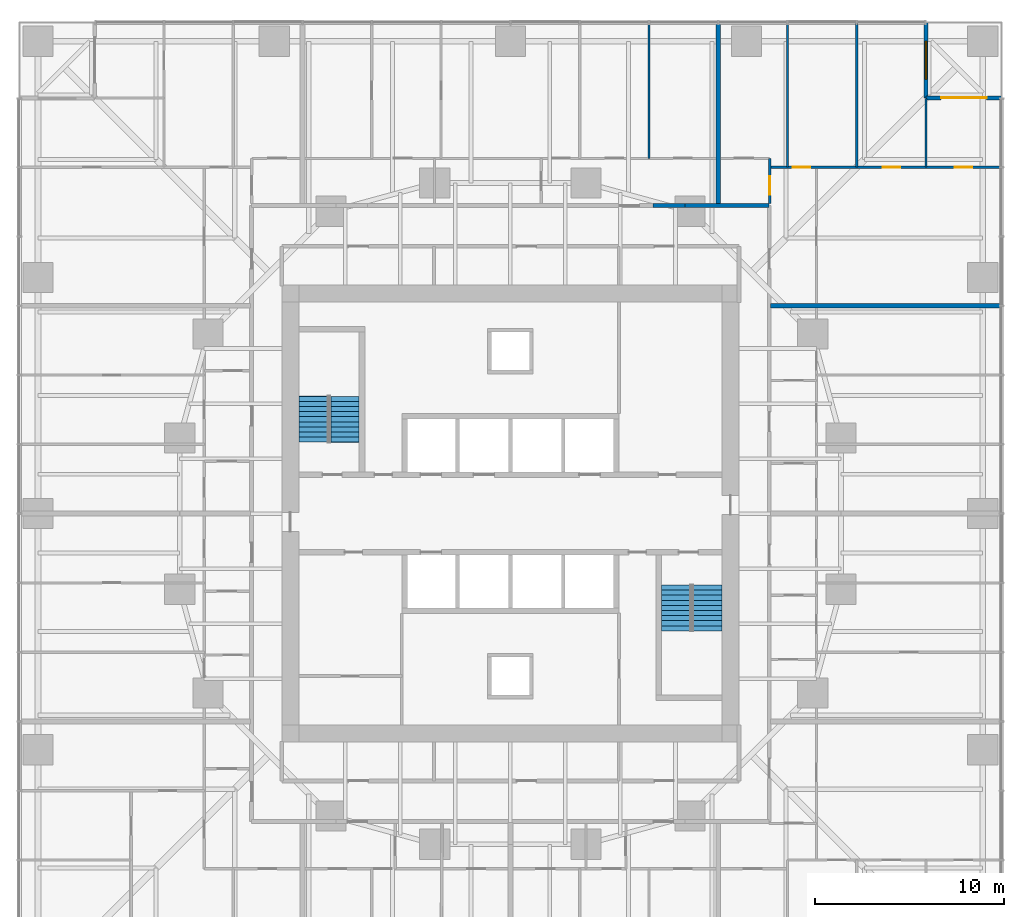
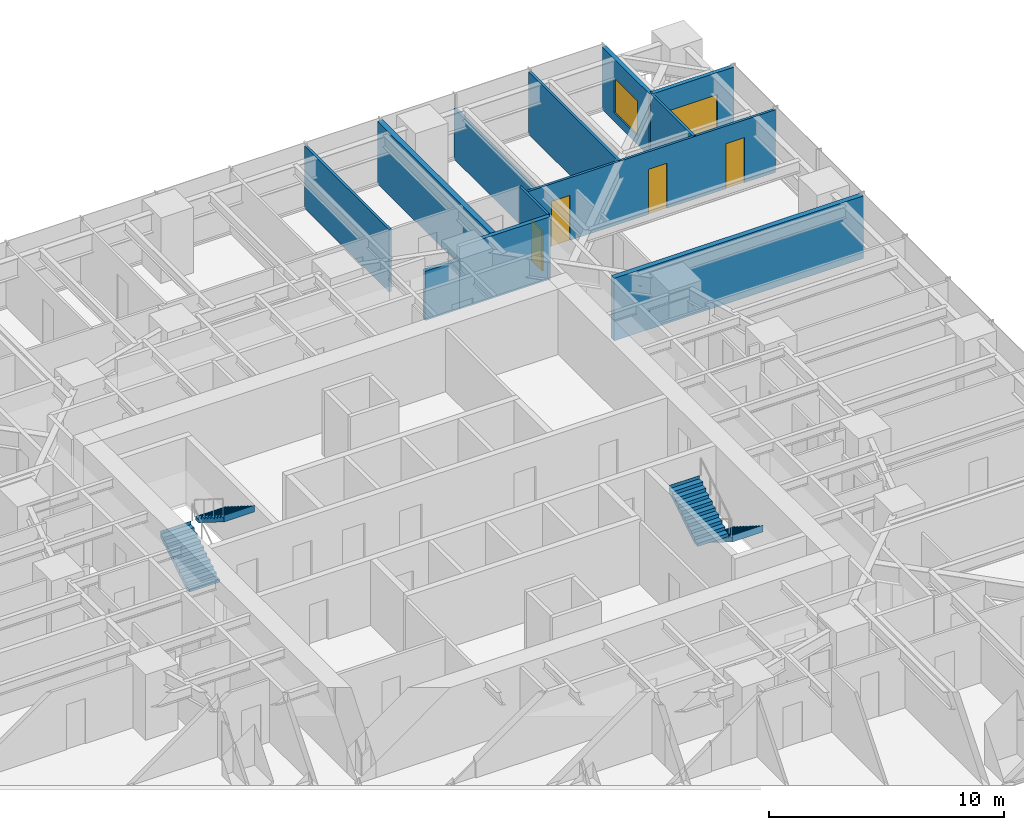
# One storey, part 13 of 14: 12 walls, 5 doors, 4 stair flights, 1 window, 6 openings, 2 elements without a shape of their own.
"""IFC4 building model written with IfcOpenShell, lengths in metres."""

from ifc_helpers import new_model, si_unit, direction, frame, frame_2d, origin, place, context, subcontext, project, spatial, polyline, rectangle, outline, extrude, material, layer, layer_set, type_object, element, fill, aggregate, save


model = new_model("IFC4")

# Units and contexts
model_context = context("Model", 3, precision=1e-05, world=origin(), true_north=direction((0.0, 1.0)))
body_context = subcontext(model_context, "Body", "Model", "MODEL_VIEW")
ifc_project = project(units=[si_unit("LENGTHUNIT", "METRE"), si_unit("AREAUNIT", "SQUARE_METRE"), si_unit("VOLUMEUNIT", "CUBIC_METRE"), si_unit("PLANEANGLEUNIT", "RADIAN"), si_unit("MASSUNIT", "GRAM", prefix="KILO")], contexts=[model_context])

# Site, building, storey
site_placement = place(None, origin())
site = spatial("IfcSite", under=ifc_project, at=site_placement, CompositionType="ELEMENT")
building_placement = place(site_placement, origin())
building = spatial("IfcBuilding", under=site, at=building_placement, Name="Torsade Residences", CompositionType="ELEMENT")
storey_placement = place(building_placement, frame((0.0, 0.0, 32.0)))
storey = spatial("IfcBuildingStorey", under=building, at=storey_placement, Name="L08", CompositionType="ELEMENT", Elevation=32.0)

# Walls
ifc_material_1 = material(Name="Plasterboard on steel stud", Category="steel")
ifc_layer_1 = layer(ifc_material_1, 0.199951171875)
ifc_layer_set_1 = layer_set([ifc_layer_1], Name="Plasterboard on steel stud")
wall_type_1 = type_object("IfcWallType", Name="CORRIDOR WALL 200", PredefinedType="PARTITIONING", material=ifc_layer_set_1)
wall_1_placement = place(storey_placement, frame((53.699951171875, 46.300048828125, 0.0), z_axis=(0.0, 0.0, 1.0), x_axis=(-1.0, 0.0, 0.0)))
element("IfcWall", 1, at=wall_1_placement, inside=storey, type_object=wall_type_1, Name="Corridor wall L08", PredefinedType="PARTITIONING", context=body_context, shape_type="SweptSolid", body=[
    extrude(rectangle(XDim=4.458251953125, YDim=0.199951171875, at=frame_2d((2.22900390625, 0.0))), origin(), (0.0, 0.0, 1.0), 3.25),
])
wall_2_placement = place(storey_placement, frame((49.24169921875, 46.300048828125, 0.0), z_axis=(0.0, 0.0, 1.0), x_axis=(-1.0, 0.0, 0.0)))
element("IfcWall", 2, at=wall_2_placement, inside=storey, type_object=wall_type_1, Name="Corridor wall L08", PredefinedType="PARTITIONING", context=body_context, shape_type="SweptSolid", body=[
    extrude(rectangle(XDim=1.683349609375, YDim=0.199951171875, at=frame_2d((0.841796875, 0.0))), origin(), (0.0, 0.0, 1.0), 2.550048828125),
])

# Wall, opening, door
ifc_material_2 = material(Name="Plasterboard on steel stud", Category="steel")
ifc_layer_2 = layer(ifc_material_2, 0.1201171875)
ifc_layer_set_2 = layer_set([ifc_layer_2], Name="Plasterboard on steel stud")
wall_type_2 = type_object("IfcWallType", Name="PARTITION 120", PredefinedType="PARTITIONING", material=ifc_layer_set_2)
wall_3_placement = place(storey_placement, frame((53.724365234375, 46.39990234375, 0.0), z_axis=(0.0, 0.0, 1.0), x_axis=(0.0, 1.0, 0.0)))
wall_3 = element("IfcWall", 3, at=wall_3_placement, inside=storey, type_object=wall_type_2, Name="Partition L08", PredefinedType="PARTITIONING", context=body_context, shape_type="SweptSolid", body=[
    extrude(rectangle(XDim=2.400146484375, YDim=0.1201171875, at=frame_2d((1.2001953125, 0.0))), origin(), (0.0, 0.0, 1.0), 3.25),
])
opening_1_placement = place(wall_3_placement, frame((0.486572265625, 0.0, 0.0)))
opening_1 = element("IfcOpeningElement", 4, at=opening_1_placement, cuts=wall_3, Name="Opening D05", PredefinedType="OPENING", context=body_context, shape_type="SweptSolid", body=[
    extrude(rectangle(XDim=0.9599609375, YDim=2.10009765625, at=frame_2d((0.47998046875, 1.050048828125))), frame((0.0, 0.070068359375, 0.0), z_axis=(0.0, -1.0, 0.0), x_axis=(1.0, 0.0, 0.0)), (0.0, 0.0, 1.0), 0.14013671875),
])
ifc_material_3 = material(Name="Hollow-core timber door in a steel cavity frame", Category="steel")
door_type_1 = type_object("IfcDoorType", Name="BATHROOM CAVITY SLIDING DOOR 960", OperationType="SLIDING_TO_LEFT", PredefinedType="DOOR", material=ifc_material_3)
door_1_placement = place(opening_1_placement, origin())
door_1 = element("IfcDoor", 5, at=door_1_placement, inside=storey, type_object=door_type_1, Name="Door Kitchen and dining to Bathroom", OperationType="SLIDING_TO_LEFT", OverallHeight=2.10009765625, OverallWidth=0.9599609375, PredefinedType="DOOR", context=body_context, shape_type="SweptSolid", body=[
    extrude(rectangle(XDim=0.9599609375, YDim=2.10009765625, at=frame_2d((0.47998046875, 1.050048828125))), frame((0.0, 0.02490234375, 0.0), z_axis=(0.0, -1.0, 0.0), x_axis=(1.0, 0.0, 0.0)), (0.0, 0.0, 1.0), 0.050048828125),
])
fill(opening_1, door_1)

# Wall, openings, doors
wall_4_placement = place(storey_placement, frame((53.724365234375, 48.333251953125, 0.0), z_axis=(0.0, 0.0, 1.0), x_axis=(1.0, 0.0, 0.0)))
wall_4 = element("IfcWall", 6, at=wall_4_placement, inside=storey, type_object=wall_type_2, Name="Partition L08", PredefinedType="PARTITIONING", context=body_context, shape_type="SweptSolid", body=[
    extrude(rectangle(XDim=12.235595703125, YDim=0.1201171875, at=frame_2d((6.11767578125, 0.0))), origin(), (0.0, 0.0, 1.0), 3.25),
])
opening_2_placement = place(wall_4_placement, frame((1.22412109375, 0.0, 0.0)))
opening_2 = element("IfcOpeningElement", 7, at=opening_2_placement, cuts=wall_4, Name="Opening D02", PredefinedType="OPENING", context=body_context, shape_type="SweptSolid", body=[
    extrude(rectangle(XDim=0.919921875, YDim=2.340087890625, at=frame_2d((0.4599609375, 1.169921875))), frame((0.0, 0.070068359375, 0.0), z_axis=(0.0, -1.0, 0.0), x_axis=(1.0, 0.0, 0.0)), (0.0, 0.0, 1.0), 0.14013671875),
])
opening_3_placement = place(wall_4_placement, frame((9.790771484375, 0.0, 0.0)))
opening_3 = element("IfcOpeningElement", 8, at=opening_3_placement, cuts=wall_4, Name="Opening D02", PredefinedType="OPENING", context=body_context, shape_type="SweptSolid", body=[
    extrude(rectangle(XDim=0.919921875, YDim=2.340087890625, at=frame_2d((0.4599609375, 1.169921875))), frame((0.0, 0.070068359375, 0.0), z_axis=(0.0, -1.0, 0.0), x_axis=(1.0, 0.0, 0.0)), (0.0, 0.0, 1.0), 0.14013671875),
])
opening_4_placement = place(wall_4_placement, frame((5.982421875, 0.0, 0.0)))
opening_4 = element("IfcOpeningElement", 9, at=opening_4_placement, cuts=wall_4, Name="Opening D02", PredefinedType="OPENING", context=body_context, shape_type="SweptSolid", body=[
    extrude(rectangle(XDim=0.919921875, YDim=2.340087890625, at=frame_2d((0.4599609375, 1.169921875))), frame((0.0, 0.070068359375, 0.0), z_axis=(0.0, -1.0, 0.0), x_axis=(1.0, 0.0, 0.0)), (0.0, 0.0, 1.0), 0.14013671875),
])
ifc_material_4 = material(Name="Hollow-core timber door", Category="wood")
door_type_2 = type_object("IfcDoorType", Name="INTERNAL DOOR 920x2340", OperationType="NOTDEFINED", PredefinedType="DOOR", material=ifc_material_4)
door_2_placement = place(opening_2_placement, origin())
door_2 = element("IfcDoor", 10, at=door_2_placement, inside=storey, type_object=door_type_2, Name="Door Kitchen and dining to Bedroom 2", OperationType="SINGLE_SWING_LEFT", OverallHeight=2.340087890625, OverallWidth=0.919921875, PredefinedType="DOOR", context=body_context, shape_type="SweptSolid", body=[
    extrude(rectangle(XDim=0.919921875, YDim=2.340087890625, at=frame_2d((0.4599609375, 1.169921875))), frame((0.0, 0.02490234375, 0.0), z_axis=(0.0, -1.0, 0.0), x_axis=(1.0, 0.0, 0.0)), (0.0, 0.0, 1.0), 0.050048828125),
])
fill(opening_2, door_2)
door_3_placement = place(opening_3_placement, origin())
door_3 = element("IfcDoor", 11, at=door_3_placement, inside=storey, type_object=door_type_2, Name="Door Living room to Family room", OperationType="SINGLE_SWING_LEFT", OverallHeight=2.340087890625, OverallWidth=0.919921875, PredefinedType="DOOR", context=body_context, shape_type="SweptSolid", body=[
    extrude(rectangle(XDim=0.919921875, YDim=2.340087890625, at=frame_2d((0.4599609375, 1.169921875))), frame((0.0, 0.02490234375, 0.0), z_axis=(0.0, -1.0, 0.0), x_axis=(1.0, 0.0, 0.0)), (0.0, 0.0, 1.0), 0.050048828125),
])
fill(opening_3, door_3)
door_4_placement = place(opening_4_placement, origin())
door_4 = element("IfcDoor", 12, at=door_4_placement, inside=storey, type_object=door_type_2, Name="Door Living room to Bedroom 1", OperationType="SINGLE_SWING_RIGHT", OverallHeight=2.340087890625, OverallWidth=0.919921875, PredefinedType="DOOR", context=body_context, shape_type="SweptSolid", body=[
    extrude(rectangle(XDim=0.919921875, YDim=2.340087890625, at=frame_2d((0.4599609375, 1.169921875))), frame((0.0, 0.02490234375, 0.0), z_axis=(0.0, -1.0, 0.0), x_axis=(1.0, 0.0, 0.0)), (0.0, 0.0, 1.0), 0.050048828125),
])
fill(opening_4, door_4)

# Walls
wall_5_placement = place(storey_placement, frame((58.333251953125, 48.333251953125, 0.0), z_axis=(0.0, 0.0, 1.0), x_axis=(0.0, 1.0, 0.0)))
element("IfcWall", 13, at=wall_5_placement, inside=storey, type_object=wall_type_2, Name="Partition L08", PredefinedType="PARTITIONING", context=body_context, shape_type="SweptSolid", body=[
    extrude(rectangle(XDim=7.626708984375, YDim=0.1201171875, at=frame_2d((3.8134765625, 0.0))), origin(), (0.0, 0.0, 1.0), 3.25),
])
wall_6_placement = place(storey_placement, frame((62.0, 51.9599609375, 0.0), z_axis=(0.0, 0.0, 1.0), x_axis=(0.0, -1.0, 0.0)))
element("IfcWall", 14, at=wall_6_placement, inside=storey, type_object=wall_type_2, Name="Partition L08", PredefinedType="PARTITIONING", context=body_context, shape_type="SweptSolid", body=[
    extrude(rectangle(XDim=3.626708984375, YDim=0.1201171875, at=frame_2d((1.8134765625, 0.0))), origin(), (0.0, 0.0, 1.0), 3.25),
])
wall_7_placement = place(storey_placement, frame((54.666748046875, 48.333251953125, 0.0), z_axis=(0.0, 0.0, 1.0), x_axis=(0.0, 1.0, 0.0)))
element("IfcWall", 15, at=wall_7_placement, inside=storey, type_object=wall_type_2, Name="Partition L08", PredefinedType="PARTITIONING", context=body_context, shape_type="SweptSolid", body=[
    extrude(rectangle(XDim=7.626708984375, YDim=0.1201171875, at=frame_2d((3.8134765625, 0.0))), origin(), (0.0, 0.0, 1.0), 2.637939453125),
])
wall_8_placement = place(storey_placement, frame((47.333251953125, 48.800048828125, 0.0), z_axis=(0.0, 0.0, 1.0), x_axis=(0.0, 1.0, 0.0)))
element("IfcWall", 16, at=wall_8_placement, inside=storey, type_object=wall_type_2, Name="Partition L08", PredefinedType="PARTITIONING", context=body_context, shape_type="SweptSolid", body=[
    extrude(rectangle(XDim=7.159912109375, YDim=0.1201171875, at=frame_2d((3.580078125, 0.0))), origin(), (0.0, 0.0, 1.0), 3.25),
])
ifc_material_5 = material(Name="Masonry-lined stud party wall", Category="masonry")
ifc_layer_3 = layer(ifc_material_5, 0.25)
ifc_layer_set_3 = layer_set([ifc_layer_3], Name="Masonry-lined stud party wall")
wall_type_3 = type_object("IfcWallType", Name="PARTY WALL 250", PredefinedType="PARTITIONING", material=ifc_layer_set_3)
wall_9_placement = place(storey_placement, frame((66.0, 41.0, 0.0), z_axis=(0.0, 0.0, 1.0), x_axis=(-1.0, 0.0, 0.0)))
element("IfcWall", 17, at=wall_9_placement, inside=storey, type_object=wall_type_3, Name="Party wall L08", PredefinedType="PARTITIONING", context=body_context, shape_type="SweptSolid", body=[
    extrude(rectangle(XDim=12.239990234375, YDim=0.25, at=frame_2d((6.1201171875, 0.0))), origin(), (0.0, 0.0, 1.0), 3.25),
])
wall_10_placement = place(storey_placement, frame((51.0, 56.0, 0.0), z_axis=(0.0, 0.0, 1.0), x_axis=(0.0, -1.0, 0.0)))
element("IfcWall", 18, at=wall_10_placement, inside=storey, type_object=wall_type_3, Name="Party wall L08", PredefinedType="PARTITIONING", context=body_context, shape_type="SweptSolid", body=[
    extrude(rectangle(XDim=9.639892578125, YDim=0.25, at=frame_2d((4.81982421875, 0.0))), origin(), (0.0, 0.0, 1.0), 3.25),
])

# Wall, opening, door
ifc_material_6 = material(Name="Stone-faced precast concrete 40 MPa panel", Category="masonry")
ifc_layer_4 = layer(ifc_material_6, 0.199951171875)
ifc_layer_set_4 = layer_set([ifc_layer_4], Name="Stone-faced precast concrete 40 MPa panel")
wall_type_4 = type_object("IfcWallType", Name="TERRACE WALL 200", PredefinedType="SOLIDWALL", material=ifc_layer_set_4)
wall_11_placement = place(storey_placement, frame((66.0, 52.0, 0.0), z_axis=(0.0, 0.0, 1.0), x_axis=(-1.0, 0.0, 0.0)))
wall_11 = element("IfcWall", 19, at=wall_11_placement, inside=storey, type_object=wall_type_4, Name="Terrace wall L08 5", PredefinedType="SOLIDWALL", context=body_context, shape_type="SweptSolid", body=[
    extrude(rectangle(XDim=4.0, YDim=0.199951171875, at=frame_2d((2.0, 0.0))), origin(), (0.0, 0.0, 1.0), 3.25),
])
opening_5_placement = place(wall_11_placement, frame((0.800048828125, 0.0, 0.0)))
opening_5 = element("IfcOpeningElement", 20, at=opening_5_placement, cuts=wall_11, Name="Opening D10A", PredefinedType="OPENING", context=body_context, shape_type="SweptSolid", body=[
    extrude(rectangle(XDim=2.39990234375, YDim=2.10009765625, at=frame_2d((1.199951171875, 1.050048828125))), frame((0.0, 0.10986328125, 0.0), z_axis=(0.0, -1.0, 0.0), x_axis=(1.0, 0.0, 0.0)), (0.0, 0.0, 1.0), 0.219970703125),
])
ifc_material_7 = material(Name="Aluminium-framed glass door", Category="aluminium")
door_type_3 = type_object("IfcDoorType", Name="TERRACE SLIDING DOOR 2400x2100", OperationType="SLIDING_TO_LEFT", PredefinedType="DOOR", material=ifc_material_7)
door_5_placement = place(opening_5_placement, origin())
door_5 = element("IfcDoor", 21, at=door_5_placement, inside=storey, type_object=door_type_3, Name="Terrace door L08 5", OperationType="SLIDING_TO_LEFT", OverallHeight=2.10009765625, OverallWidth=2.39990234375, PredefinedType="DOOR", context=body_context, shape_type="SweptSolid", body=[
    extrude(rectangle(XDim=2.39990234375, YDim=2.10009765625, at=frame_2d((1.199951171875, 1.050048828125))), frame((0.0, 0.02490234375, 0.0), z_axis=(0.0, -1.0, 0.0), x_axis=(1.0, 0.0, 0.0)), (0.0, 0.0, 1.0), 0.050048828125),
])
fill(opening_5, door_5)

# Wall, opening, window
wall_12_placement = place(storey_placement, frame((62.0, 52.0, 0.0), z_axis=(0.0, 0.0, 1.0), x_axis=(0.0, 1.0, 0.0)))
wall_12 = element("IfcWall", 22, at=wall_12_placement, inside=storey, type_object=wall_type_4, Name="Terrace wall L08 6", PredefinedType="SOLIDWALL", context=body_context, shape_type="SweptSolid", body=[
    extrude(rectangle(XDim=4.0, YDim=0.199951171875, at=frame_2d((2.0, 0.0))), origin(), (0.0, 0.0, 1.0), 3.25),
])
opening_6_placement = place(wall_12_placement, frame((1.0, 0.0, 0.449951171875)))
opening_6 = element("IfcOpeningElement", 23, at=opening_6_placement, cuts=wall_12, Name="Opening W1B", PredefinedType="OPENING", context=body_context, shape_type="SweptSolid", body=[
    extrude(rectangle(XDim=2.0, YDim=1.800048828125, at=frame_2d((1.0, 0.89990234375))), frame((0.0, 0.10986328125, 0.0), z_axis=(0.0, -1.0, 0.0), x_axis=(1.0, 0.0, 0.0)), (0.0, 0.0, 1.0), 0.219970703125),
])
ifc_material_8 = material(Name="Aluminium-framed glass window", Category="aluminium")
window_type = type_object("IfcWindowType", Name="TERRACE WINDOW 2000x1800", PartitioningType="SINGLE_PANEL", PredefinedType="WINDOW", material=ifc_material_8)
window_placement = place(opening_6_placement, origin())
window = element("IfcWindow", 24, at=window_placement, inside=storey, type_object=window_type, Name="Terrace window L08 6", OverallHeight=1.800048828125, OverallWidth=2.0, PartitioningType="SINGLE_PANEL", PredefinedType="WINDOW", context=body_context, shape_type="SweptSolid", body=[
    extrude(rectangle(XDim=2.0, YDim=1.800048828125, at=frame_2d((1.0, 0.89990234375))), frame((0.0, 0.030029296875, 0.0), z_axis=(0.0, -1.0, 0.0), x_axis=(1.0, 0.0, 0.0)), (0.0, 0.0, 1.0), 0.06005859375),
])
fill(opening_6, window)

# Stair, stair flights
ifc_material_9 = material(Name="Precast concrete 40 MPa", Category="concrete")
stair_type = type_object("IfcStairType", Name="HALF-TURN FIRE STAIR 1500x3400", PredefinedType="HALF_TURN_STAIR", material=ifc_material_9)
stair_1_placement = place(storey_placement, origin())
stair_1 = element("IfcStair", 25, at=stair_1_placement, inside=storey, type_object=stair_type, Name="Stair ST1 L08", PredefinedType="HALF_TURN_STAIR")
ifc_material_10 = material(Name="Precast concrete 40 MPa", Category="concrete")
stair_flight_type = type_object("IfcStairFlightType", Name="PRECAST STAIR FLIGHT 1500x1700", PredefinedType="STRAIGHT", material=ifc_material_10)
stair_flight_1_placement = place(storey_placement, frame((29.550048828125, 33.780029296875, 0.0), z_axis=(0.0, 0.0, 1.0), x_axis=(0.0, 1.0, 0.0)))
stair_flight_1 = element("IfcStairFlight", 26, at=stair_flight_1_placement, type_object=stair_flight_type, Name="ST1 flight 1", NumberOfRisers=10, NumberOfTreads=9, PredefinedType="STRAIGHT", RiserHeight=0.17, TreadLength=0.27, context=body_context, shape_type="SweptSolid", body=[
    extrude(outline(polyline([(0.0, 0.0), (0.0, 0.169921875), (0.27001953125, 0.169921875), (0.27001953125, 0.340087890625), (0.5400390625, 0.340087890625), (0.5400390625, 0.510009765625), (0.81005859375, 0.510009765625), (0.81005859375, 0.679931640625), (1.080078125, 0.679931640625), (1.080078125, 0.85009765625), (1.35009765625, 0.85009765625), (1.35009765625, 1.02001953125), (1.6201171875, 1.02001953125), (1.6201171875, 1.18994140625), (1.889892578125, 1.18994140625), (1.889892578125, 1.360107421875), (2.159912109375, 1.360107421875), (2.159912109375, 1.530029296875), (2.429931640625, 1.530029296875), (2.429931640625, 1.699951171875), (2.43994140625, 1.699951171875), (2.43994140625, 1.352783203125), (2.429931640625, 1.352783203125), (0.28125, 0.0), (0.0, 0.0)])), frame((0.0, 0.75, 0.0), z_axis=(0.0, -1.0, 0.0), x_axis=(1.0, 0.0, 0.0)), (0.0, 0.0, 1.0), 1.5),
])
stair_flight_2_placement = place(storey_placement, frame((31.25, 36.2099609375, 1.699951171875), z_axis=(0.0, 0.0, 1.0), x_axis=(0.0, -1.0, 0.0)))
stair_flight_2 = element("IfcStairFlight", 27, at=stair_flight_2_placement, type_object=stair_flight_type, Name="ST1 flight 2", NumberOfRisers=10, NumberOfTreads=9, PredefinedType="STRAIGHT", RiserHeight=0.17, TreadLength=0.27, context=body_context, shape_type="SweptSolid", body=[
    extrude(outline(polyline([(0.0, 0.0), (0.0, 0.169921875), (0.27001953125, 0.169921875), (0.27001953125, 0.340087890625), (0.5400390625, 0.340087890625), (0.5400390625, 0.510009765625), (0.81005859375, 0.510009765625), (0.81005859375, 0.679931640625), (1.080078125, 0.679931640625), (1.080078125, 0.85009765625), (1.35009765625, 0.85009765625), (1.35009765625, 1.02001953125), (1.6201171875, 1.02001953125), (1.6201171875, 1.18994140625), (1.889892578125, 1.18994140625), (1.889892578125, 1.360107421875), (2.159912109375, 1.360107421875), (2.159912109375, 1.530029296875), (2.429931640625, 1.530029296875), (2.429931640625, 1.699951171875), (2.43994140625, 1.699951171875), (2.43994140625, 1.352783203125), (2.429931640625, 1.352783203125), (0.28125, 0.0), (0.0, 0.0)])), frame((0.0, 0.75, 0.0), z_axis=(0.0, -1.0, 0.0), x_axis=(1.0, 0.0, 0.0)), (0.0, 0.0, 1.0), 1.5),
])
aggregate(stair_1, [stair_flight_1, stair_flight_2])

stair_2_placement = place(storey_placement, origin())
stair_2 = element("IfcStair", 28, at=stair_2_placement, inside=storey, type_object=stair_type, Name="Stair ST2 L08", PredefinedType="HALF_TURN_STAIR")
stair_flight_3_placement = place(storey_placement, frame((50.449951171875, 26.219970703125, 0.0), z_axis=(0.0, 0.0, 1.0), x_axis=(0.0, -1.0, 0.0)))
stair_flight_3 = element("IfcStairFlight", 29, at=stair_flight_3_placement, type_object=stair_flight_type, Name="ST2 flight 1", NumberOfRisers=10, NumberOfTreads=9, PredefinedType="STRAIGHT", RiserHeight=0.17, TreadLength=0.27, context=body_context, shape_type="SweptSolid", body=[
    extrude(outline(polyline([(0.0, 0.0), (0.0, 0.169921875), (0.27001953125, 0.169921875), (0.27001953125, 0.340087890625), (0.5400390625, 0.340087890625), (0.5400390625, 0.510009765625), (0.81005859375, 0.510009765625), (0.81005859375, 0.679931640625), (1.080078125, 0.679931640625), (1.080078125, 0.85009765625), (1.35009765625, 0.85009765625), (1.35009765625, 1.02001953125), (1.6201171875, 1.02001953125), (1.6201171875, 1.18994140625), (1.889892578125, 1.18994140625), (1.889892578125, 1.360107421875), (2.159912109375, 1.360107421875), (2.159912109375, 1.530029296875), (2.429931640625, 1.530029296875), (2.429931640625, 1.699951171875), (2.43994140625, 1.699951171875), (2.43994140625, 1.352783203125), (2.429931640625, 1.352783203125), (0.28125, 0.0), (0.0, 0.0)])), frame((0.0, 0.75, 0.0), z_axis=(0.0, -1.0, 0.0), x_axis=(1.0, 0.0, 0.0)), (0.0, 0.0, 1.0), 1.5),
])
stair_flight_4_placement = place(storey_placement, frame((48.75, 23.7900390625, 1.699951171875), z_axis=(0.0, 0.0, 1.0), x_axis=(0.0, 1.0, 0.0)))
stair_flight_4 = element("IfcStairFlight", 30, at=stair_flight_4_placement, type_object=stair_flight_type, Name="ST2 flight 2", NumberOfRisers=10, NumberOfTreads=9, PredefinedType="STRAIGHT", RiserHeight=0.17, TreadLength=0.27, context=body_context, shape_type="SweptSolid", body=[
    extrude(outline(polyline([(0.0, 0.0), (0.0, 0.169921875), (0.27001953125, 0.169921875), (0.27001953125, 0.340087890625), (0.5400390625, 0.340087890625), (0.5400390625, 0.510009765625), (0.81005859375, 0.510009765625), (0.81005859375, 0.679931640625), (1.080078125, 0.679931640625), (1.080078125, 0.85009765625), (1.35009765625, 0.85009765625), (1.35009765625, 1.02001953125), (1.6201171875, 1.02001953125), (1.6201171875, 1.18994140625), (1.889892578125, 1.18994140625), (1.889892578125, 1.360107421875), (2.159912109375, 1.360107421875), (2.159912109375, 1.530029296875), (2.429931640625, 1.530029296875), (2.429931640625, 1.699951171875), (2.43994140625, 1.699951171875), (2.43994140625, 1.352783203125), (2.429931640625, 1.352783203125), (0.28125, 0.0), (0.0, 0.0)])), frame((0.0, 0.75, 0.0), z_axis=(0.0, -1.0, 0.0), x_axis=(1.0, 0.0, 0.0)), (0.0, 0.0, 1.0), 1.5),
])
aggregate(stair_2, [stair_flight_3, stair_flight_4])

save(model, "model.ifc")
